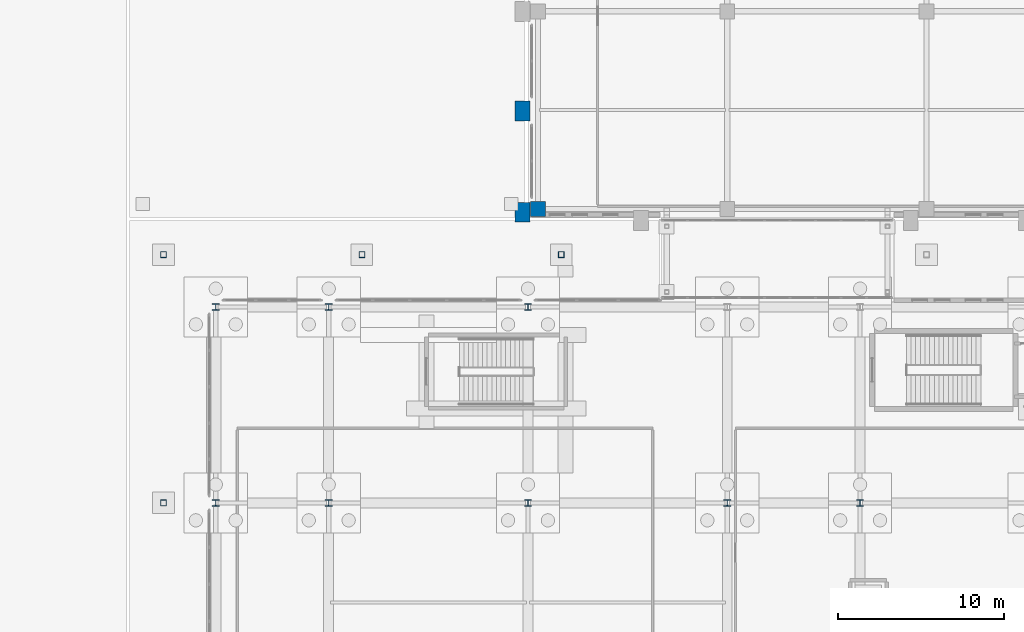
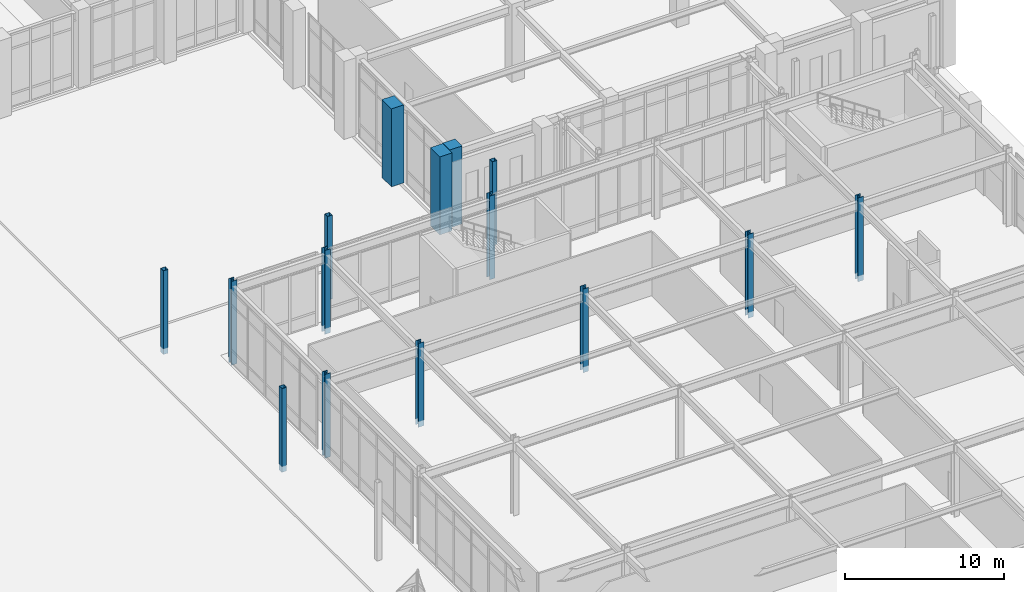
# One storey, part 17 of 143: 15 columns.
"""IFC4 building model written with IfcOpenShell, lengths in metres."""

import ifcopenshell
import ifcopenshell.guid

model = None  # the IFC model being written
_history = None  # IfcOwnerHistory: only IFC2X3 demands one
_inside = {}  # id of a spatial element -> (the spatial element, [elements in it])
_under = {}  # id of a project, library or spatial element -> (it, [spatial elements below it])
_declared = {}  # id of a project -> (the project, [libraries it declares])
_typed = {}  # id of a type object -> (the type object, [elements of that type])
_made_of = {}  # id of a material, layer set ... -> (it, [elements and type objects made of it])


def new_model(schema):
    """Start an empty IFC model of exactly this schema.

    Asked for "IFC4X3", IfcOpenShell would pick the latest addendum, in which some entities
    have other attributes; the version numbers below select the first issue.
    IFC2X3 requires an IfcOwnerHistory on every rooted entity: one is made here for all.
    """
    global model, _history
    if schema == "IFC4X3":
        model = ifcopenshell.file(schema_version=(4, 3, 0, 0))
    else:
        model = ifcopenshell.file(schema=schema)
    _inside.clear()
    _under.clear()
    _declared.clear()
    _typed.clear()
    _made_of.clear()
    _history = None
    if model.schema == "IFC2X3":
        org = make("IfcOrganization", Name="unknown")
        user = make(
            "IfcPersonAndOrganization",
            ThePerson=make("IfcPerson", FamilyName="unknown"),
            TheOrganization=org,
        )
        app = make(
            "IfcApplication",
            ApplicationDeveloper=org,
            Version="unknown",
            ApplicationFullName="unknown",
            ApplicationIdentifier="unknown",
        )
        _history = make(
            "IfcOwnerHistory",
            OwningUser=user,
            OwningApplication=app,
            ChangeAction="ADDED",
            CreationDate=0,
        )
    return model


def make(cls, **values):
    """One entity of the class cls with the attributes given. An attribute that is None is left unset."""
    return model.create_entity(
        cls, **{name: value for name, value in values.items() if value is not None}
    )


def rooted(cls, **values):
    """An entity with a GlobalId (a new one), such as an element, a storey or a relation."""
    return make(cls, GlobalId=ifcopenshell.guid.new(), OwnerHistory=_history, **values)


def si_unit(unit_type, name, prefix=None):
    """IfcSIUnit, for example si_unit("LENGTHUNIT", "METRE", prefix="MILLI")."""
    return make("IfcSIUnit", UnitType=unit_type, Prefix=prefix, Name=name)


def derived_unit(unit_type, elements):
    """IfcDerivedUnit: a product of units, each with its exponent."""
    return make(
        "IfcDerivedUnit",
        Elements=[
            make("IfcDerivedUnitElement", Unit=unit, Exponent=power)
            for unit, power in elements
        ],
        UnitType=unit_type,
    )


def assignment(units):
    """IfcUnitAssignment: the units of a project."""
    return None if units is None else make("IfcUnitAssignment", Units=units)


def point(xyz):
    """IfcCartesianPoint."""
    return None if xyz is None else make("IfcCartesianPoint", Coordinates=xyz)


def direction(xyz):
    """IfcDirection."""
    return None if xyz is None else make("IfcDirection", DirectionRatios=xyz)


def frame(location, z_axis=None, x_axis=None):
    """IfcAxis2Placement3D, a coordinate frame: its origin and axes. An axis left out is left unset."""
    return make(
        "IfcAxis2Placement3D",
        Location=point(location),
        Axis=direction(z_axis),
        RefDirection=direction(x_axis),
    )


def frame_2d(location, x_axis=None):
    """IfcAxis2Placement2D, a coordinate frame in the plane: its origin and x axis."""
    return make(
        "IfcAxis2Placement2D", Location=point(location), RefDirection=direction(x_axis)
    )


def origin():
    """The frame at (0, 0, 0) with its axes left unset."""
    return frame((0.0, 0.0, 0.0))


def origin_2d():
    """The frame at (0, 0) in the plane with its x axis left unset."""
    return frame_2d((0.0, 0.0))


def place(relative_to, where):
    """IfcLocalPlacement: puts the frame where relative to a parent placement (None: the world)."""
    return make(
        "IfcLocalPlacement", PlacementRelTo=relative_to, RelativePlacement=where
    )


def context(
    kind, dimensions, precision=None, world=None, true_north=None, identifier=None
):
    """IfcGeometricRepresentationContext, for example the 3D "Model" context."""
    return make(
        "IfcGeometricRepresentationContext",
        ContextIdentifier=identifier,
        ContextType=kind,
        CoordinateSpaceDimension=dimensions,
        Precision=precision,
        WorldCoordinateSystem=world,
        TrueNorth=true_north,
    )


def subcontext(parent, identifier, kind, view, scale=None):
    """IfcGeometricRepresentationSubContext, for example "Body" below "Model"."""
    return make(
        "IfcGeometricRepresentationSubContext",
        ContextIdentifier=identifier,
        ContextType=kind,
        ParentContext=parent,
        TargetScale=scale,
        TargetView=view,
    )


def project(units=None, contexts=None):
    """IfcProject with its units and contexts."""
    return rooted(
        "IfcProject",
        Name="project",
        RepresentationContexts=contexts,
        UnitsInContext=assignment(units),
    )


def spatial(cls, under=None, at=None, **own):
    """A site, building, storey or space (cls), placed at a placement, below another one or the project."""
    s = rooted(cls, ObjectPlacement=at, **own)
    if under is not None:
        _under.setdefault(under.id(), (under, []))[1].append(s)
    return s


def profile(cls, at=None, kind="AREA", **sizes):
    """A parametric profile (cls). Its sizes go by their IFC names, for example OverallWidth=200.0."""
    return make(cls, ProfileType=kind, Position=at, **sizes)


def rectangle(**sizes):
    """IfcRectangleProfileDef."""
    return profile("IfcRectangleProfileDef", **sizes)


def hollow_rectangle(**sizes):
    """IfcRectangleHollowProfileDef."""
    return profile("IfcRectangleHollowProfileDef", **sizes)


def i_section(**sizes):
    """IfcIShapeProfileDef."""
    return profile("IfcIShapeProfileDef", **sizes)


def extrude(swept, where, along, depth):
    """IfcExtrudedAreaSolid: the profile swept, set in the frame where, extruded along a direction by depth."""
    return make(
        "IfcExtrudedAreaSolid",
        SweptArea=swept,
        Position=where,
        ExtrudedDirection=direction(along),
        Depth=depth,
    )


def shape(context_of_items, identifier, shape_type, items):
    """IfcShapeRepresentation: the items that make up one representation, for example the "Body"."""
    return make(
        "IfcShapeRepresentation",
        ContextOfItems=context_of_items,
        RepresentationIdentifier=identifier,
        RepresentationType=shape_type,
        Items=items,
    )


def material(Name=None, Category=None):
    """IfcMaterial."""
    return make("IfcMaterial", Name=Name, Category=Category)


def material_profile(
    of_material, cross_section, Name=None, Category=None, Priority=None
):
    """IfcMaterialProfile: a cross section and its material."""
    return make(
        "IfcMaterialProfile",
        Name=Name,
        Material=of_material,
        Profile=cross_section,
        Priority=Priority,
        Category=Category,
    )


def profile_set(profiles, Name=None, composite=None):
    """IfcMaterialProfileSet."""
    return make(
        "IfcMaterialProfileSet",
        Name=Name,
        MaterialProfiles=profiles,
        CompositeProfile=composite,
    )


def made_of(thing, what):
    """Note that an element or type object is made of a material, layer set ...; save() writes the relation."""
    if what is not None:
        _made_of.setdefault(what.id(), (what, []))[1].append(thing)
    return thing


def type_object(cls, material=None, **own):
    """A type object (cls), such as IfcWallType, which elements share."""
    return made_of(rooted(cls, **own), material)


def element(
    cls,
    number,
    at=None,
    inside=None,
    cuts=None,
    type_object=None,
    material=None,
    context=None,
    identifier="Body",
    shape_type=None,
    held_by="IfcProductDefinitionShape",
    body=None,
    shapes=None,
    **own,
):
    """One element of the class cls, such as IfcWall. Its Tag is "e" and its number.

    at: its placement. inside: the storey or other place that contains it. cuts: it is an
    opening in that element (IfcRelVoidsElement). A single representation is given by context,
    identifier, shape_type and body (its items); several are given by shapes. held_by: the class
    of the entity that holds the representations. save() writes the other relations.
    """
    e = rooted(cls, Tag="e%d" % number, ObjectPlacement=at, **own)
    if body is not None:
        shapes = [shape(context, identifier, shape_type, body)]
    if shapes is not None:
        e.Representation = make(held_by, Representations=shapes)
    if inside is not None:
        _inside.setdefault(inside.id(), (inside, []))[1].append(e)
    if cuts is not None:
        rooted(
            "IfcRelVoidsElement", RelatingBuildingElement=cuts, RelatedOpeningElement=e
        )
    if type_object is not None:
        _typed.setdefault(type_object.id(), (type_object, []))[1].append(e)
    return made_of(e, material)


def aggregate(whole, parts):
    """IfcRelAggregates: a whole, such as a stair, and the parts it consists of."""
    return rooted("IfcRelAggregates", RelatingObject=whole, RelatedObjects=parts)


def save(model, path):
    """Write the relations noted so far, then the file.

    IfcRelAggregates (storeys below a building ...), IfcRelContainedInSpatialStructure (elements
    in a storey), IfcRelDefinesByType, IfcRelAssociatesMaterial and IfcRelDeclares: one each for
    every whole, place, type object, material and project.
    """
    for whole, parts in _under.values():
        aggregate(whole, parts)
    for where, things in _inside.values():
        rooted(
            "IfcRelContainedInSpatialStructure",
            RelatedElements=things,
            RelatingStructure=where,
        )
    for kind, things in _typed.values():
        rooted("IfcRelDefinesByType", RelatedObjects=things, RelatingType=kind)
    for what, things in _made_of.values():
        rooted("IfcRelAssociatesMaterial", RelatedObjects=things, RelatingMaterial=what)
    for by, libraries in _declared.values():
        rooted("IfcRelDeclares", RelatingContext=by, RelatedDefinitions=libraries)
    model.write(path)


model = new_model("IFC4")

# Units and contexts
model_context = context("Model", 3, precision=1e-05, world=origin(), true_north=direction((0.0, 1.0)))
body_context = subcontext(model_context, "Body", "Model", "MODEL_VIEW")
ifc_project = project(units=[si_unit("LENGTHUNIT", "METRE"), si_unit("AREAUNIT", "SQUARE_METRE"), si_unit("VOLUMEUNIT", "CUBIC_METRE"), si_unit("PLANEANGLEUNIT", "RADIAN"), si_unit("MASSUNIT", "GRAM", prefix="KILO"), derived_unit("THERMALTRANSMITTANCEUNIT", [(si_unit("MASSUNIT", "GRAM", prefix="KILO"), 1), (si_unit("TIMEUNIT", "SECOND"), -3), (si_unit("THERMODYNAMICTEMPERATUREUNIT", "KELVIN"), -1)])], contexts=[model_context])

# Site, building, storey
site_placement = place(None, origin())
site = spatial("IfcSite", under=ifc_project, at=site_placement, CompositionType="ELEMENT")
building_placement = place(site_placement, origin())
building = spatial("IfcBuilding", under=site, at=building_placement, Name="Valcora Ridge Arena", CompositionType="ELEMENT")
storey_placement = place(building_placement, origin())
storey = spatial("IfcBuildingStorey", under=building, at=storey_placement, Name="L00", CompositionType="ELEMENT", Elevation=0.0)

# Columns
ifc_material_1 = material(Name="Bush-hammered Andean travertine architectural concrete C45/55", Category="masonry")
ifc_material_profile_1 = material_profile(ifc_material_1, rectangle(XDim=0.89990234375, YDim=1.199951171875, at=origin_2d()), Name="RC 900x1200")
ifc_profile_set_1 = profile_set([ifc_material_profile_1], Name="Bush-hammered Andean travertine architectural concrete C45/55")
column_type_1 = type_object("IfcColumnType", Name="TY-COLUMN-C-BUTT-1200", PredefinedType="PILASTER", material=ifc_profile_set_1)
for number, where, z_axis, x_axis, name in (
    (1, (155.679931640625, 83.5, 0.0), (0.0, 0.0, 1.0), (1.0, 0.0, 0.0), "C-BUTT-1200 COL-C-BUTT-1200-0248"),
    (2, (155.679931640625, 89.60009765625, 0.0), (0.0, 0.0, 1.0), (1.0, 0.0, 0.0), "C-BUTT-1200 COL-C-BUTT-1200-0252"),
):
    element("IfcColumn", number, at=place(storey_placement, frame(where, z_axis=z_axis, x_axis=x_axis)), inside=storey, type_object=column_type_1, Name=name, PredefinedType="PILASTER", context=body_context, shape_type="SweptSolid", body=[
        extrude(rectangle(XDim=0.89990234375, YDim=1.199951171875, at=origin_2d()), origin(), (0.0, 0.0, 1.0), 6.0),
    ])
ifc_material_2 = material(Name="Steel ASTM A500 Grade C", Category="steel")
ifc_material_profile_2 = material_profile(ifc_material_2, hollow_rectangle(XDim=0.35009765625, YDim=0.35009765625, WallThickness=0.01611328125, at=origin_2d()), Name="HSS350X350X16")
ifc_profile_set_2 = profile_set([ifc_material_profile_2], Name="Steel ASTM A500 Grade C")
column_type_2 = type_object("IfcColumnType", Name="TY-COLUMN-C-COL350", PredefinedType="COLUMN", material=ifc_profile_set_2)
for number, where, z_axis, x_axis, name in (
    (3, (134.050048828125, 66.0, -0.449951171875), (0.0, 0.0, 1.0), (1.0, 0.0, 0.0), "C-COL350 COL-C-COL350-0016"),
    (4, (134.050048828125, 80.949951171875, -0.449951171875), (0.0, 0.0, 1.0), (1.0, 0.0, 0.0), "C-COL350 COL-C-COL350-0019"),
    (5, (146.0, 80.949951171875, -0.449951171875), (0.0, 0.0, 1.0), (1.0, 0.0, 0.0), "C-COL350 COL-C-COL350-0055"),
    (6, (158.0, 80.949951171875, -0.449951171875), (0.0, 0.0, 1.0), (1.0, 0.0, 0.0), "C-COL350 COL-C-COL350-0058"),
):
    element("IfcColumn", number, at=place(storey_placement, frame(where, z_axis=z_axis, x_axis=x_axis)), inside=storey, type_object=column_type_2, Name=name, PredefinedType="COLUMN", context=body_context, shape_type="SweptSolid", body=[
        extrude(hollow_rectangle(XDim=0.35009765625, YDim=0.35009765625, WallThickness=0.01611328125, at=origin_2d()), origin(), (0.0, 0.0, 1.0), 6.449951171875),
    ])
ifc_material_3 = material(Name="Concrete C40/50", Category="concrete")
ifc_material_profile_3 = material_profile(ifc_material_3, rectangle(XDim=0.89990234375, YDim=0.89990234375, at=origin_2d()), Name="RC 900x900")
ifc_profile_set_3 = profile_set([ifc_material_profile_3], Name="Concrete C40/50")
column_type_3 = type_object("IfcColumnType", Name="TY-COLUMN-C-RC900B", PredefinedType="COLUMN", material=ifc_profile_set_3)
column_placement = place(storey_placement, frame((156.60009765625, 83.699951171875, 0.0), z_axis=(0.0, 0.0, 1.0), x_axis=(1.0, 0.0, 0.0)))
element("IfcColumn", 7, at=column_placement, inside=storey, type_object=column_type_3, Name="C-RC900B COL-C-RC900B-0137", PredefinedType="COLUMN", context=body_context, shape_type="SweptSolid", body=[
    extrude(rectangle(XDim=0.89990234375, YDim=0.89990234375, at=origin_2d()), origin(), (0.0, 0.0, 1.0), 6.0),
])
ifc_material_4 = material(Name="Steel ASTM A572 Grade 50", Category="steel")
ifc_material_profile_4 = material_profile(ifc_material_4, i_section(OverallWidth=0.39892578125, OverallDepth=0.385986328125, WebThickness=0.02099609375, FlangeThickness=0.033203125, FilletRadius=0.01806640625, at=origin_2d()), Name="W14X176")
ifc_profile_set_4 = profile_set([ifc_material_profile_4], Name="Steel ASTM A572 Grade 50")
column_type_4 = type_object("IfcColumnType", Name="TY-COLUMN-C-STL14A", PredefinedType="COLUMN", material=ifc_profile_set_4)
for number, where, z_axis, x_axis, name in (
    (8, (137.199951171875, 66.0, -0.449951171875), (0.0, 0.0, 1.0), (1.0, 0.0, 0.0), "C-STL14A COL-C-STL14A-0006"),
    (9, (137.199951171875, 77.800048828125, -0.449951171875), (0.0, 0.0, 1.0), (1.0, 0.0, 0.0), "C-STL14A COL-C-STL14A-0007"),
    (10, (144.0, 66.0, -0.449951171875), (0.0, 0.0, 1.0), (1.0, 0.0, 0.0), "C-STL14A COL-C-STL14A-0013"),
    (11, (144.0, 77.800048828125, -0.449951171875), (0.0, 0.0, 1.0), (1.0, 0.0, 0.0), "C-STL14A COL-C-STL14A-0014"),
    (12, (156.0, 66.0, -0.449951171875), (0.0, 0.0, 1.0), (1.0, 0.0, 0.0), "C-STL14A COL-C-STL14A-0020"),
    (13, (156.0, 77.800048828125, -0.449951171875), (0.0, 0.0, 1.0), (1.0, 0.0, 0.0), "C-STL14A COL-C-STL14A-0021"),
    (14, (168.0, 66.0, -0.449951171875), (0.0, 0.0, 1.0), (1.0, 0.0, 0.0), "C-STL14A COL-C-STL14A-0027"),
    (15, (176.0, 66.0, -0.449951171875), (0.0, 0.0, 1.0), (1.0, 0.0, 0.0), "C-STL14A COL-C-STL14A-0033"),
):
    element("IfcColumn", number, at=place(storey_placement, frame(where, z_axis=z_axis, x_axis=x_axis)), inside=storey, type_object=column_type_4, Name=name, PredefinedType="COLUMN", context=body_context, shape_type="SweptSolid", body=[
        extrude(i_section(OverallWidth=0.39892578125, OverallDepth=0.385986328125, WebThickness=0.02099609375, FlangeThickness=0.033203125, FilletRadius=0.01806640625, at=origin_2d()), origin(), (0.0, 0.0, 1.0), 6.449951171875),
    ])

save(model, "model.ifc")
